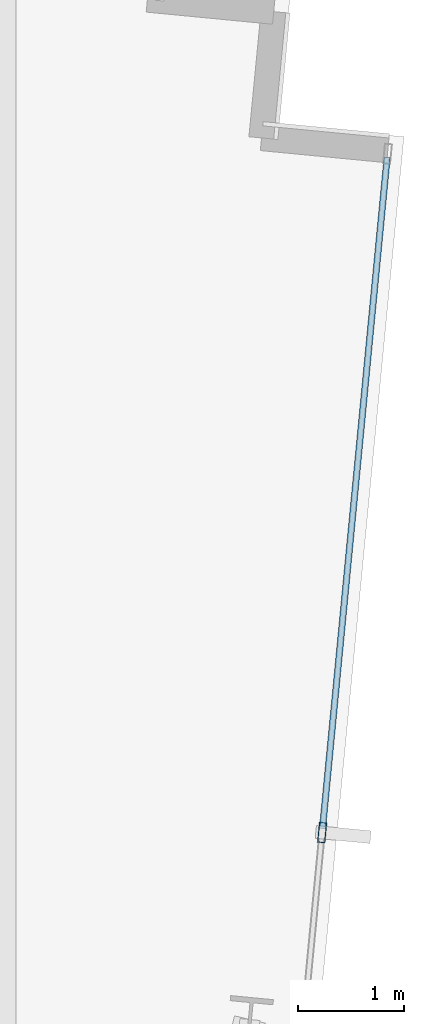
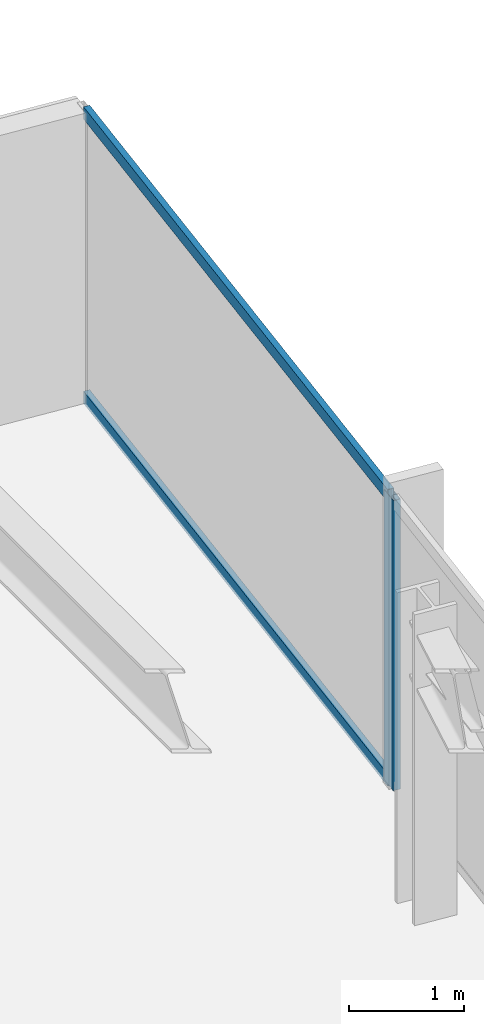
# One storey, part 20 of 36: 3 members, 1 element without a shape of its own.
"""IFC4 building model written with IfcOpenShell, lengths in metres."""

from ifc_helpers import new_model, si_unit, direction, frame, origin, origin_2d, place, context, subcontext, project, spatial, hollow_rectangle, extrude, material, material_profile, profile_set, type_object, element, aggregate, save


model = new_model("IFC4")

# Units and contexts
model_context = context("Model", 3, precision=1e-05, world=origin(), true_north=direction((0.0, 1.0)))
body_context = subcontext(model_context, "Body", "Model", "MODEL_VIEW")
ifc_project = project(units=[si_unit("LENGTHUNIT", "METRE"), si_unit("AREAUNIT", "SQUARE_METRE"), si_unit("VOLUMEUNIT", "CUBIC_METRE"), si_unit("PLANEANGLEUNIT", "RADIAN"), si_unit("MASSUNIT", "GRAM", prefix="KILO")], contexts=[model_context])

# Site, building, storey
site_placement = place(None, origin())
site = spatial("IfcSite", under=ifc_project, at=site_placement, CompositionType="ELEMENT")
building_placement = place(site_placement, origin())
building = spatial("IfcBuilding", under=site, at=building_placement, Name="Yelkora Congress Tower", CompositionType="ELEMENT")
storey_placement = place(building_placement, frame((0.0, 0.0, 152.300048828125)))
storey = spatial("IfcBuildingStorey", under=building, at=storey_placement, Name="L41", CompositionType="ELEMENT", Elevation=152.300048828125)

# Curtain wall, members
ifc_material_1 = material(Name="Anodised aluminium and insulated glass", Category="aluminium")
curtain_wall_type = type_object("IfcCurtainWallType", Name="CW-SYS-B3", PredefinedType="NOTDEFINED", material=ifc_material_1)
curtain_wall_placement = place(storey_placement, origin())
curtain_wall = element("IfcCurtainWall", 1, at=curtain_wall_placement, inside=storey, type_object=curtain_wall_type, Name="L41 Unitised Curtain Wall 15", PredefinedType="NOTDEFINED")
ifc_material_2 = material(Name="Anodised aluminium 6063-T6", Category="aluminium")
ifc_material_profile_1 = material_profile(ifc_material_2, hollow_rectangle(XDim=0.070068359375, YDim=0.18994140625, WallThickness=0.00390625, at=origin_2d()), Name="ALU 70x190x4")
ifc_profile_set_1 = profile_set([ifc_material_profile_1], Name="Anodised aluminium 6063-T6")
member_type_1 = type_object("IfcMemberType", Name="MEM-ML-B3", PredefinedType="MULLION", material=ifc_profile_set_1)
member_1_placement = place(storey_placement, frame((60.646240234375, 36.849853515625, 0.0), z_axis=(0.0, 0.0, 1.0), x_axis=(0.995396565076, -0.095841944023, 0.0)))
member_1 = element("IfcMember", 2, at=member_1_placement, type_object=member_type_1, Name="CW-B3 mullion 2", PredefinedType="MULLION", context=body_context, shape_type="SweptSolid", body=[
    extrude(hollow_rectangle(XDim=0.070068359375, YDim=0.18994140625, WallThickness=0.00390625, at=origin_2d()), origin(), (0.0, 0.0, 1.0), 3.079833984375),
])
ifc_material_profile_2 = material_profile(ifc_material_2, hollow_rectangle(XDim=0.06005859375, YDim=0.1298828125, WallThickness=0.00390625, at=origin_2d()), Name="ALU 60x130x4")
ifc_profile_set_2 = profile_set([ifc_material_profile_2], Name="Anodised aluminium 6063-T6")
member_type_2 = type_object("IfcMemberType", Name="MEM-TR-B3", PredefinedType="USERDEFINED", material=ifc_profile_set_2)
member_2_placement = place(storey_placement, frame((61.260986328125, 43.234375, 0.030029296875), z_axis=(-0.095872844558, -0.995393589329, 0.0), x_axis=(0.995393589329, -0.095872844558, 0.0)))
member_2 = element("IfcMember", 3, at=member_2_placement, type_object=member_type_2, Name="CW-B3 transom 1.1", ObjectType="TRANSOM", PredefinedType="USERDEFINED", context=body_context, shape_type="SweptSolid", body=[
    extrude(hollow_rectangle(XDim=0.06005859375, YDim=0.1298828125, WallThickness=0.00390625, at=origin_2d()), origin(), (0.0, 0.0, 1.0), 6.37890625),
])
member_3_placement = place(storey_placement, frame((61.260986328125, 43.234375, 3.050048828125), z_axis=(-0.095872844558, -0.995393589329, 0.0), x_axis=(0.995393589329, -0.095872844558, 0.0)))
member_3 = element("IfcMember", 4, at=member_3_placement, type_object=member_type_2, Name="CW-B3 transom 1.2", ObjectType="TRANSOM", PredefinedType="USERDEFINED", context=body_context, shape_type="SweptSolid", body=[
    extrude(hollow_rectangle(XDim=0.06005859375, YDim=0.1298828125, WallThickness=0.00390625, at=origin_2d()), origin(), (0.0, 0.0, 1.0), 6.37890625),
])
aggregate(curtain_wall, [member_1, member_2, member_3])

save(model, "model.ifc")
